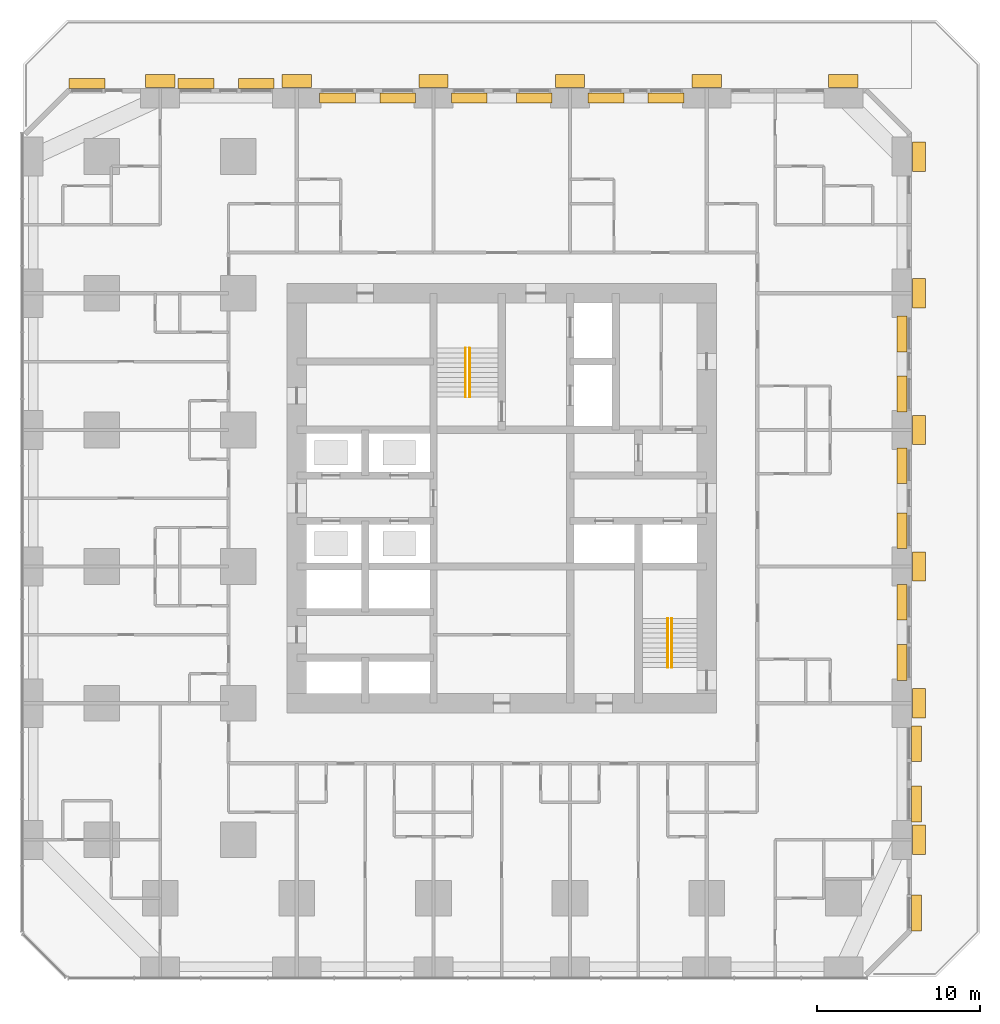
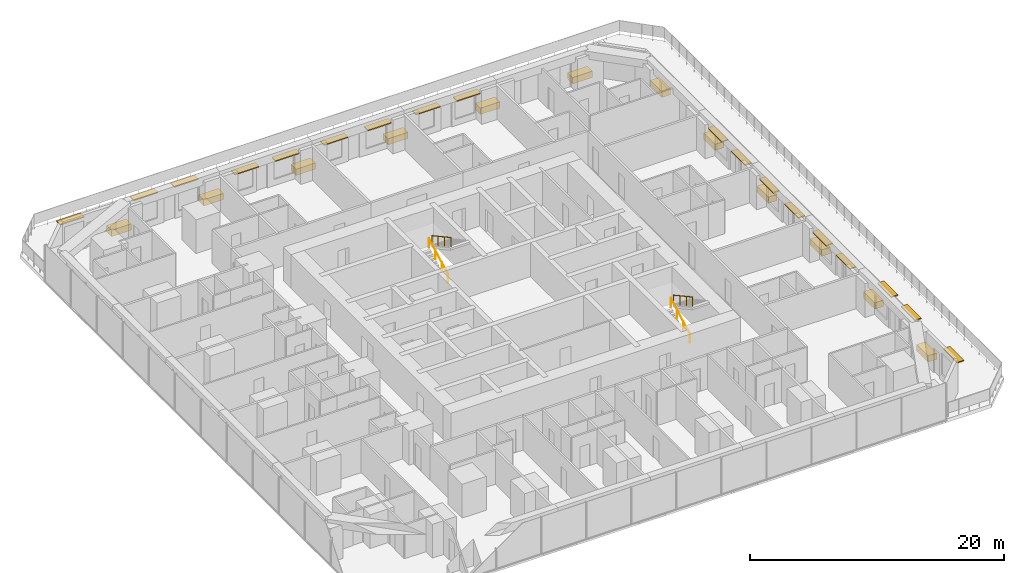
# One storey, part 15 of 16: 18 shading devices, 12 coverings, 4 railings.
"""IFC4 building model written with IfcOpenShell, lengths in metres."""

from ifc_helpers import new_model, si_unit, direction, frame, origin, origin_2d, place, context, subcontext, project, spatial, rectangle, circle, extrude, material, layer, layer_set, type_object, element, save


model = new_model("IFC4")

# Units and contexts
model_context = context("Model", 3, precision=1e-05, world=origin(), true_north=direction((0.0, 1.0)))
body_context = subcontext(model_context, "Body", "Model", "MODEL_VIEW")
ifc_project = project(units=[si_unit("LENGTHUNIT", "METRE"), si_unit("AREAUNIT", "SQUARE_METRE"), si_unit("VOLUMEUNIT", "CUBIC_METRE"), si_unit("PLANEANGLEUNIT", "RADIAN"), si_unit("MASSUNIT", "GRAM", prefix="KILO")], contexts=[model_context])

# Site, building, storey
site_placement = place(None, origin())
site = spatial("IfcSite", under=ifc_project, at=site_placement, CompositionType="ELEMENT")
building_placement = place(site_placement, origin())
building = spatial("IfcBuilding", under=site, at=building_placement, Name="Dunama Terrace Hotel", CompositionType="ELEMENT")
storey_placement = place(building_placement, frame((0.0, 0.0, 93.60009765625)))
storey = spatial("IfcBuildingStorey", under=building, at=storey_placement, Name="L23", CompositionType="ELEMENT", Elevation=93.60009765625)

# Railings
ifc_material_1 = material(Name="Stainless steel handrail", Category="steel")
railing_type = type_object("IfcRailingType", Name="Stair handrail 900", PredefinedType="HANDRAIL", material=ifc_material_1)
railing_1_placement = place(storey_placement, frame((27.175048828125, 35.625, 0.16357421875)))
element("IfcRailing", 1, at=railing_1_placement, inside=storey, type_object=railing_type, Name="Handrail ST1 L23", PredefinedType="HANDRAIL", context=body_context, shape_type="SweptSolid", body=[
    extrude(circle(Radius=0.02392578125, at=origin_2d()), frame((0.0, 0.0, 0.8759765625), z_axis=(0.0, 0.877911954615, 0.47882209634), x_axis=(-1.0, 0.0, 0.0)), (0.0, 0.0, 1.0), 3.417236328125),
    extrude(circle(Radius=0.02099609375, at=origin_2d()), origin(), (0.0, 0.0, 1.0), 0.851806640625),
    extrude(circle(Radius=0.02099609375, at=origin_2d()), frame((0.0, 1.0, 0.54541015625)), (0.0, 0.0, 1.0), 0.851806640625),
    extrude(circle(Radius=0.02099609375, at=origin_2d()), frame((0.0, 2.0, 1.0908203125)), (0.0, 0.0, 1.0), 0.851806640625),
    extrude(circle(Radius=0.02099609375, at=origin_2d()), frame((0.0, 3.0, 1.63623046875)), (0.0, 0.0, 1.0), 0.851806640625),
])
railing_2_placement = place(storey_placement, frame((27.425048828125, 38.625, 1.963623046875)))
element("IfcRailing", 2, at=railing_2_placement, inside=storey, type_object=railing_type, Name="Handrail ST1 L23", PredefinedType="HANDRAIL", context=body_context, shape_type="SweptSolid", body=[
    extrude(circle(Radius=0.02392578125, at=origin_2d()), frame((0.0, 0.0, 0.8759765625), z_axis=(0.0, -0.877911954615, 0.47882209634), x_axis=(1.0, 0.0, 0.0)), (0.0, 0.0, 1.0), 3.417236328125),
    extrude(circle(Radius=0.02099609375, at=origin_2d()), origin(), (0.0, 0.0, 1.0), 0.851806640625),
    extrude(circle(Radius=0.02099609375, at=origin_2d()), frame((0.0, -1.0, 0.54541015625)), (0.0, 0.0, 1.0), 0.851806640625),
    extrude(circle(Radius=0.02099609375, at=origin_2d()), frame((0.0, -2.0, 1.0908203125)), (0.0, 0.0, 1.0), 0.851806640625),
    extrude(circle(Radius=0.02099609375, at=origin_2d()), frame((0.0, -3.0, 1.63623046875)), (0.0, 0.0, 1.0), 0.851806640625),
])
railing_3_placement = place(storey_placement, frame((39.60009765625, 19.0, 0.16357421875)))
element("IfcRailing", 3, at=railing_3_placement, inside=storey, type_object=railing_type, Name="Handrail ST2 L23", PredefinedType="HANDRAIL", context=body_context, shape_type="SweptSolid", body=[
    extrude(circle(Radius=0.02392578125, at=origin_2d()), frame((0.0, 0.0, 0.8759765625), z_axis=(0.0, 0.877911954615, 0.47882209634), x_axis=(-1.0, 0.0, 0.0)), (0.0, 0.0, 1.0), 3.417236328125),
    extrude(circle(Radius=0.02099609375, at=origin_2d()), origin(), (0.0, 0.0, 1.0), 0.851806640625),
    extrude(circle(Radius=0.02099609375, at=origin_2d()), frame((0.0, 1.0, 0.54541015625)), (0.0, 0.0, 1.0), 0.851806640625),
    extrude(circle(Radius=0.02099609375, at=origin_2d()), frame((0.0, 2.0, 1.0908203125)), (0.0, 0.0, 1.0), 0.851806640625),
    extrude(circle(Radius=0.02099609375, at=origin_2d()), frame((0.0, 3.0, 1.63623046875)), (0.0, 0.0, 1.0), 0.851806640625),
])
railing_4_placement = place(storey_placement, frame((39.85009765625, 22.0, 1.963623046875)))
element("IfcRailing", 4, at=railing_4_placement, inside=storey, type_object=railing_type, Name="Handrail ST2 L23", PredefinedType="HANDRAIL", context=body_context, shape_type="SweptSolid", body=[
    extrude(circle(Radius=0.02392578125, at=origin_2d()), frame((0.0, 0.0, 0.8759765625), z_axis=(0.0, -0.877911954615, 0.47882209634), x_axis=(1.0, 0.0, 0.0)), (0.0, 0.0, 1.0), 3.417236328125),
    extrude(circle(Radius=0.02099609375, at=origin_2d()), origin(), (0.0, 0.0, 1.0), 0.851806640625),
    extrude(circle(Radius=0.02099609375, at=origin_2d()), frame((0.0, -1.0, 0.54541015625)), (0.0, 0.0, 1.0), 0.851806640625),
    extrude(circle(Radius=0.02099609375, at=origin_2d()), frame((0.0, -2.0, 1.0908203125)), (0.0, 0.0, 1.0), 0.851806640625),
    extrude(circle(Radius=0.02099609375, at=origin_2d()), frame((0.0, -3.0, 1.63623046875)), (0.0, 0.0, 1.0), 0.851806640625),
])

# Shading devices
ifc_material_2 = material(Name="Precast stone sunshade", Category="masonry")
ifc_layer = layer(ifc_material_2, 0.10009765625)
ifc_layer_set = layer_set([ifc_layer], Name="Stone sunshade 600")
shading_device_type = type_object("IfcShadingDeviceType", Name="Stone sunshade 600", PredefinedType="USERDEFINED", material=ifc_layer_set)
for number, where, z_axis, x_axis, name in (
    (5, (54.89990234375, 3.89990234375, 2.749755859375), (0.0, 0.0, 1.0), (0.0, 1.0, 0.0), "Sunshade L23"),
    (6, (54.89990234375, 10.60009765625, 2.749755859375), (0.0, 0.0, 1.0), (0.0, 1.0, 0.0), "Sunshade L23"),
    (7, (54.89990234375, 14.300048828125, 2.749755859375), (0.0, 0.0, 1.0), (0.0, 1.0, 0.0), "Sunshade L23"),
    (8, (54.0, 19.300048828125, 2.749755859375), (0.0, 0.0, 1.0), (0.0, 1.0, 0.0), "Sunshade L23"),
    (9, (54.0, 23.0, 2.749755859375), (0.0, 0.0, 1.0), (0.0, 1.0, 0.0), "Sunshade L23"),
    (10, (54.0, 27.39990234375, 2.749755859375), (0.0, 0.0, 1.0), (0.0, 1.0, 0.0), "Sunshade L23"),
    (11, (54.0, 31.39990234375, 2.749755859375), (0.0, 0.0, 1.0), (0.0, 1.0, 0.0), "Sunshade L23"),
    (12, (54.0, 35.800048828125, 2.749755859375), (0.0, 0.0, 1.0), (0.0, 1.0, 0.0), "Sunshade L23"),
    (13, (54.0, 39.5, 2.749755859375), (0.0, 0.0, 1.0), (0.0, 1.0, 0.0), "Sunshade L23"),
    (14, (3.89990234375, 54.89990234375, 2.749755859375), (0.0, 0.0, 1.0), (-1.0, 0.0, 0.0), "Sunshade L23"),
    (15, (10.60009765625, 54.89990234375, 2.749755859375), (0.0, 0.0, 1.0), (-1.0, 0.0, 0.0), "Sunshade L23"),
    (16, (14.300048828125, 54.89990234375, 2.749755859375), (0.0, 0.0, 1.0), (-1.0, 0.0, 0.0), "Sunshade L23"),
    (17, (19.300048828125, 54.0, 2.749755859375), (0.0, 0.0, 1.0), (-1.0, 0.0, 0.0), "Sunshade L23"),
    (18, (23.0, 54.0, 2.749755859375), (0.0, 0.0, 1.0), (-1.0, 0.0, 0.0), "Sunshade L23"),
    (19, (27.39990234375, 54.0, 2.749755859375), (0.0, 0.0, 1.0), (-1.0, 0.0, 0.0), "Sunshade L23"),
    (20, (31.39990234375, 54.0, 2.749755859375), (0.0, 0.0, 1.0), (-1.0, 0.0, 0.0), "Sunshade L23"),
    (21, (35.800048828125, 54.0, 2.749755859375), (0.0, 0.0, 1.0), (-1.0, 0.0, 0.0), "Sunshade L23"),
    (22, (39.5, 54.0, 2.749755859375), (0.0, 0.0, 1.0), (-1.0, 0.0, 0.0), "Sunshade L23"),
):
    element("IfcShadingDevice", number, at=place(storey_placement, frame(where, z_axis=z_axis, x_axis=x_axis)), inside=storey, type_object=shading_device_type, Name=name, ObjectType="SUNSHADE", PredefinedType="USERDEFINED", context=body_context, shape_type="SweptSolid", body=[
        extrude(rectangle(XDim=2.199951171875, YDim=0.60009765625, at=origin_2d()), origin(), (0.0, 0.0, 1.0), 0.10009765625),
    ])

# Coverings
ifc_material_3 = material(Name="Precast concrete planter", Category="concrete")
covering_type = type_object("IfcCoveringType", Name="Terrace planter 600", PredefinedType="USERDEFINED", material=ifc_material_3)
for number, where, z_axis, x_axis, name in (
    (23, (8.39990234375, 55.050048828125, -0.000244140625), (0.0, 0.0, 1.0), (1.0, 0.0, 0.0), "Terrace planter L23"),
    (24, (16.800048828125, 55.050048828125, -0.000244140625), (0.0, 0.0, 1.0), (1.0, 0.0, 0.0), "Terrace planter L23"),
    (25, (25.199951171875, 55.050048828125, -0.000244140625), (0.0, 0.0, 1.0), (1.0, 0.0, 0.0), "Terrace planter L23"),
    (26, (33.60009765625, 55.050048828125, -0.000244140625), (0.0, 0.0, 1.0), (1.0, 0.0, 0.0), "Terrace planter L23"),
    (27, (42.0, 55.050048828125, -0.000244140625), (0.0, 0.0, 1.0), (1.0, 0.0, 0.0), "Terrace planter L23"),
    (28, (50.39990234375, 55.050048828125, -0.000244140625), (0.0, 0.0, 1.0), (1.0, 0.0, 0.0), "Terrace planter L23"),
):
    element("IfcCovering", number, at=place(storey_placement, frame(where, z_axis=z_axis, x_axis=x_axis)), inside=storey, type_object=covering_type, Name=name, ObjectType="PLANTER", PredefinedType="USERDEFINED", context=body_context, shape_type="SweptSolid", body=[
        extrude(rectangle(XDim=1.800048828125, YDim=0.800048828125, at=origin_2d()), origin(), (0.0, 0.0, 1.0), 0.60009765625),
    ])
for number, where, z_axis, x_axis, name in (
    (29, (55.050048828125, 8.39990234375, -0.000244140625), (0.0, 0.0, 1.0), (1.0, 0.0, 0.0), "Terrace planter L23"),
    (30, (55.050048828125, 16.800048828125, -0.000244140625), (0.0, 0.0, 1.0), (1.0, 0.0, 0.0), "Terrace planter L23"),
    (31, (55.050048828125, 25.199951171875, -0.000244140625), (0.0, 0.0, 1.0), (1.0, 0.0, 0.0), "Terrace planter L23"),
    (32, (55.050048828125, 33.60009765625, -0.000244140625), (0.0, 0.0, 1.0), (1.0, 0.0, 0.0), "Terrace planter L23"),
    (33, (55.050048828125, 42.0, -0.000244140625), (0.0, 0.0, 1.0), (1.0, 0.0, 0.0), "Terrace planter L23"),
    (34, (55.050048828125, 50.39990234375, -0.000244140625), (0.0, 0.0, 1.0), (1.0, 0.0, 0.0), "Terrace planter L23"),
):
    element("IfcCovering", number, at=place(storey_placement, frame(where, z_axis=z_axis, x_axis=x_axis)), inside=storey, type_object=covering_type, Name=name, ObjectType="PLANTER", PredefinedType="USERDEFINED", context=body_context, shape_type="SweptSolid", body=[
        extrude(rectangle(XDim=0.800048828125, YDim=1.800048828125, at=origin_2d()), origin(), (0.0, 0.0, 1.0), 0.60009765625),
    ])

save(model, "model.ifc")
